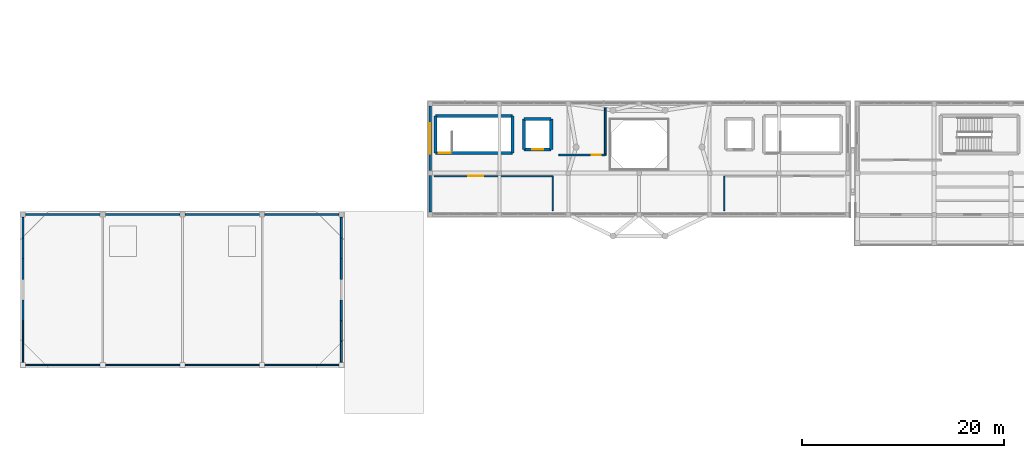
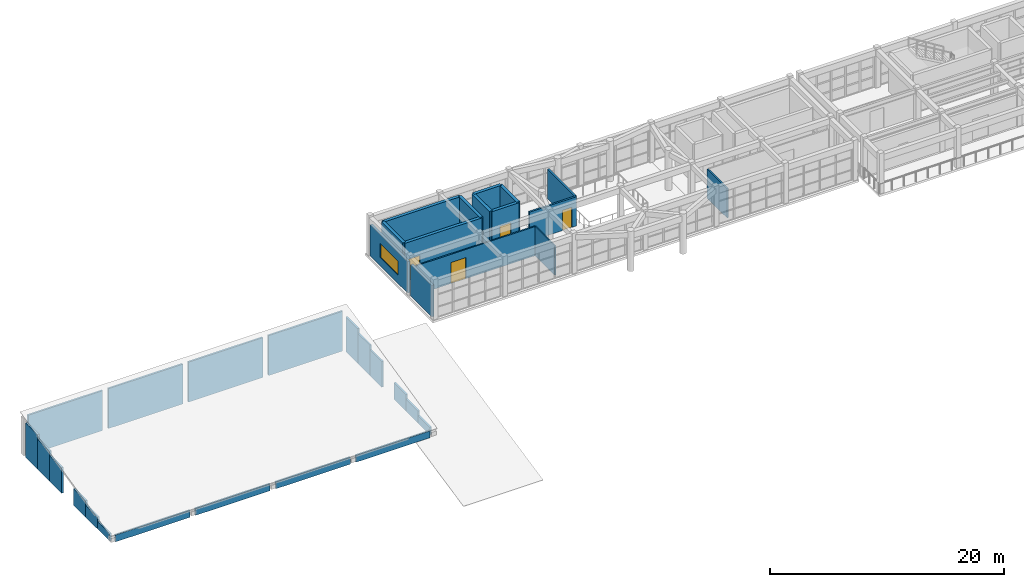
# One storey, part 53 of 66: 35 walls, 4 doors, 1 window, 5 openings.
"""IFC4 building model written with IfcOpenShell, lengths in metres."""

from ifc_helpers import new_model, si_unit, direction, frame, frame_2d, origin, place, context, subcontext, project, spatial, rectangle, extrude, material, layer, layer_set, type_object, element, fill, save


model = new_model("IFC4")

# Units and contexts
model_context = context("Model", 3, precision=1e-05, world=origin(), true_north=direction((0.0, 1.0)))
body_context = subcontext(model_context, "Body", "Model", "MODEL_VIEW")
ifc_project = project(units=[si_unit("LENGTHUNIT", "METRE"), si_unit("AREAUNIT", "SQUARE_METRE"), si_unit("VOLUMEUNIT", "CUBIC_METRE"), si_unit("PLANEANGLEUNIT", "RADIAN"), si_unit("MASSUNIT", "GRAM", prefix="KILO")], contexts=[model_context])

# Site, building, storey
site_placement = place(None, origin())
site = spatial("IfcSite", under=ifc_project, at=site_placement, CompositionType="ELEMENT")
building_placement = place(site_placement, origin())
building = spatial("IfcBuilding", under=site, at=building_placement, Name="Candilejo Ridge Gondola Terminal", CompositionType="ELEMENT")
storey_placement = place(building_placement, frame((0.0, 0.0, 14.39990234375)))
storey = spatial("IfcBuildingStorey", under=building, at=storey_placement, Name="L03", CompositionType="ELEMENT", Elevation=14.39990234375)

# Wall
ifc_material_1 = material(Name="Concrete C20/25 masonry blockwork (f'm 14 MPa)", Category="masonry")
ifc_layer_1 = layer(ifc_material_1, 0.219970703125)
ifc_layer_set_1 = layer_set([ifc_layer_1], Name="ARC-EXT-WALL-220")
wall_type_1 = type_object("IfcWallType", Name="ARC-EXT-WALL-220", PredefinedType="STANDARD", material=ifc_layer_set_1)
wall_1_placement = place(storey_placement, frame((44.64990234375, 25.949951171875, 0.0), z_axis=(0.0, 0.0, 1.0), x_axis=(0.0, 1.0, 0.0)))
element("IfcWall", 1, at=wall_1_placement, inside=storey, type_object=wall_type_1, Name="Exterior facade wall EW-V2-L03-047", PredefinedType="STANDARD", context=body_context, shape_type="SweptSolid", body=[
    extrude(rectangle(XDim=3.60009765625, YDim=0.219970703125, at=frame_2d((1.800048828125, 0.0))), origin(), (0.0, 0.0, 1.0), 3.280029296875),
])

# Wall, opening, window
wall_2_placement = place(storey_placement, frame((44.64990234375, 30.050048828125, 0.0), z_axis=(0.0, 0.0, 1.0), x_axis=(0.0, 1.0, 0.0)))
wall_2 = element("IfcWall", 2, at=wall_2_placement, inside=storey, type_object=wall_type_1, Name="Exterior facade wall EW-V2-L03-048", PredefinedType="STANDARD", context=body_context, shape_type="SweptSolid", body=[
    extrude(rectangle(XDim=6.39990234375, YDim=0.219970703125, at=frame_2d((3.199951171875, 0.0))), origin(), (0.0, 0.0, 1.0), 3.280029296875),
])
opening_1_placement = place(wall_2_placement, frame((1.699951171875, 0.0, 0.8798828125)))
opening_1 = element("IfcOpeningElement", 3, at=opening_1_placement, cuts=wall_2, Name="Opening WN-05", PredefinedType="OPENING", context=body_context, shape_type="SweptSolid", body=[
    extrude(rectangle(XDim=3.0, YDim=1.449951171875, at=frame_2d((1.5, 0.72509765625))), frame((0.0, 0.119873046875, 0.0), z_axis=(0.0, -1.0, 0.0), x_axis=(1.0, 0.0, 0.0)), (0.0, 0.0, 1.0), 0.239990234375),
])
ifc_material_2 = material(Name="Low-E laminated double glazing 6+12A+6+1.52PVB+6 mm", Category="glass")
window_type = type_object("IfcWindowType", Name="ARC-WIN-3000X1650", PartitioningType="SINGLE_PANEL", PredefinedType="WINDOW", material=ifc_material_2)
window_placement = place(opening_1_placement, origin())
window = element("IfcWindow", 4, at=window_placement, inside=storey, type_object=window_type, Name="Window WIN-021", OverallHeight=1.449951171875, OverallWidth=3.0, PartitioningType="SINGLE_PANEL", PredefinedType="WINDOW", context=body_context, shape_type="SweptSolid", body=[
    extrude(rectangle(XDim=3.0, YDim=1.449951171875, at=frame_2d((1.5, 0.72509765625))), frame((0.0, 0.030029296875, 0.0), z_axis=(0.0, -1.0, 0.0), x_axis=(1.0, 0.0, 0.0)), (0.0, 0.0, 1.0), 0.06005859375),
])
fill(opening_1, window)

# Walls
ifc_material_3 = material(Name="Concrete f'c 35 MPa (C35/45)", Category="concrete")
ifc_layer_2 = layer(ifc_material_3, 0.179931640625)
ifc_layer_set_2 = layer_set([ifc_layer_2], Name="ARC-PARAPET-WALL-180")
wall_type_2 = type_object("IfcWallType", Name="ARC-PARAPET-WALL-180", PredefinedType="PARAPET", material=ifc_layer_set_2)
wall_3_placement = place(storey_placement, frame((4.580078125, 10.800048828125, -0.199951171875), z_axis=(0.0, 0.0, 1.0), x_axis=(1.0, 0.0, 0.0)))
element("IfcWall", 5, at=wall_3_placement, inside=storey, type_object=wall_type_2, Name="Roof perimeter gable/spandrel wall L03-001", PredefinedType="PARAPET", context=body_context, shape_type="SweptSolid", body=[
    extrude(rectangle(XDim=7.33984375, YDim=0.179931640625, at=frame_2d((3.669921875, 0.0))), origin(), (0.0, 0.0, 1.0), 0.714599609375),
])
for number, where, z_axis, x_axis, name in (
    (6, (12.47998046875, 10.800048828125, -0.199951171875), (0.0, 0.0, 1.0), (1.0, 0.0, 0.0), "Roof perimeter gable/spandrel wall L03-002"),
    (7, (20.3798828125, 10.800048828125, -0.199951171875), (0.0, 0.0, 1.0), (1.0, 0.0, 0.0), "Roof perimeter gable/spandrel wall L03-003"),
):
    element("IfcWall", number, at=place(storey_placement, frame(where, z_axis=z_axis, x_axis=x_axis)), inside=storey, type_object=wall_type_2, Name=name, PredefinedType="PARAPET", context=body_context, shape_type="SweptSolid", body=[
        extrude(rectangle(XDim=7.340087890625, YDim=0.179931640625, at=frame_2d((3.669921875, 0.0))), origin(), (0.0, 0.0, 1.0), 0.714599609375),
    ])
wall_4_placement = place(storey_placement, frame((28.280029296875, 10.800048828125, -0.199951171875), z_axis=(0.0, 0.0, 1.0), x_axis=(1.0, 0.0, 0.0)))
element("IfcWall", 8, at=wall_4_placement, inside=storey, type_object=wall_type_2, Name="Roof perimeter gable/spandrel wall L03-004", PredefinedType="PARAPET", context=body_context, shape_type="SweptSolid", body=[
    extrude(rectangle(XDim=7.2900390625, YDim=0.179931640625, at=frame_2d((3.64501953125, 0.0))), origin(), (0.0, 0.0, 1.0), 0.714599609375),
])
wall_5_placement = place(storey_placement, frame((4.580078125, 25.699951171875, -0.199951171875), z_axis=(0.0, 0.0, 1.0), x_axis=(1.0, 0.0, 0.0)))
element("IfcWall", 9, at=wall_5_placement, inside=storey, type_object=wall_type_2, Name="Roof perimeter gable/spandrel wall L03-005", PredefinedType="PARAPET", context=body_context, shape_type="SweptSolid", body=[
    extrude(rectangle(XDim=7.33984375, YDim=0.179931640625, at=frame_2d((3.669921875, 0.0))), origin(), (0.0, 0.0, 1.0), 4.154541015625),
])
for number, where, z_axis, x_axis, name in (
    (10, (12.47998046875, 25.699951171875, -0.199951171875), (0.0, 0.0, 1.0), (1.0, 0.0, 0.0), "Roof perimeter gable/spandrel wall L03-006"),
    (11, (20.3798828125, 25.699951171875, -0.199951171875), (0.0, 0.0, 1.0), (1.0, 0.0, 0.0), "Roof perimeter gable/spandrel wall L03-007"),
):
    element("IfcWall", number, at=place(storey_placement, frame(where, z_axis=z_axis, x_axis=x_axis)), inside=storey, type_object=wall_type_2, Name=name, PredefinedType="PARAPET", context=body_context, shape_type="SweptSolid", body=[
        extrude(rectangle(XDim=7.340087890625, YDim=0.179931640625, at=frame_2d((3.669921875, 0.0))), origin(), (0.0, 0.0, 1.0), 4.154541015625),
    ])
wall_6_placement = place(storey_placement, frame((28.280029296875, 25.699951171875, -0.199951171875), z_axis=(0.0, 0.0, 1.0), x_axis=(1.0, 0.0, 0.0)))
element("IfcWall", 12, at=wall_6_placement, inside=storey, type_object=wall_type_2, Name="Roof perimeter gable/spandrel wall L03-008", PredefinedType="PARAPET", context=body_context, shape_type="SweptSolid", body=[
    extrude(rectangle(XDim=7.2900390625, YDim=0.179931640625, at=frame_2d((3.64501953125, 0.0))), origin(), (0.0, 0.0, 1.0), 4.154541015625),
])
wall_7_placement = place(storey_placement, frame((4.300048828125, 11.080078125, -0.199951171875), z_axis=(0.0, 0.0, 1.0), x_axis=(0.0, 1.0, 0.0)))
element("IfcWall", 13, at=wall_7_placement, inside=storey, type_object=wall_type_2, Name="Roof perimeter gable/spandrel wall L03-009", PredefinedType="PARAPET", context=body_context, shape_type="SweptSolid", body=[
    extrude(rectangle(XDim=2.048583984375, YDim=0.179931640625, at=frame_2d((1.0244140625, 0.0))), origin(), (0.0, 0.0, 1.0), 0.779296875),
])
wall_8_placement = place(storey_placement, frame((4.300048828125, 13.128662109375, -0.199951171875), z_axis=(0.0, 0.0, 1.0), x_axis=(0.0, 1.0, 0.0)))
element("IfcWall", 14, at=wall_8_placement, inside=storey, type_object=wall_type_2, Name="Roof perimeter gable/spandrel wall L03-010", PredefinedType="PARAPET", context=body_context, shape_type="SweptSolid", body=[
    extrude(rectangle(XDim=2.04833984375, YDim=0.179931640625, at=frame_2d((1.024169921875, 0.0))), origin(), (0.0, 0.0, 1.0), 1.252197265625),
])
wall_9_placement = place(storey_placement, frame((4.300048828125, 15.177001953125, -0.199951171875), z_axis=(0.0, 0.0, 1.0), x_axis=(0.0, 1.0, 0.0)))
element("IfcWall", 15, at=wall_9_placement, inside=storey, type_object=wall_type_2, Name="Roof perimeter gable/spandrel wall L03-011", PredefinedType="PARAPET", context=body_context, shape_type="SweptSolid", body=[
    extrude(rectangle(XDim=2.048583984375, YDim=0.179931640625, at=frame_2d((1.0244140625, 0.0))), origin(), (0.0, 0.0, 1.0), 1.72509765625),
])
wall_10_placement = place(storey_placement, frame((4.300048828125, 19.2744140625, -0.199951171875), z_axis=(0.0, 0.0, 1.0), x_axis=(0.0, 1.0, 0.0)))
element("IfcWall", 16, at=wall_10_placement, inside=storey, type_object=wall_type_2, Name="Roof perimeter gable/spandrel wall L03-012", PredefinedType="PARAPET", context=body_context, shape_type="SweptSolid", body=[
    extrude(rectangle(XDim=2.048583984375, YDim=0.179931640625, at=frame_2d((1.0244140625, 0.0))), origin(), (0.0, 0.0, 1.0), 2.671142578125),
])
wall_11_placement = place(storey_placement, frame((4.300048828125, 21.322998046875, -0.199951171875), z_axis=(0.0, 0.0, 1.0), x_axis=(0.0, 1.0, 0.0)))
element("IfcWall", 17, at=wall_11_placement, inside=storey, type_object=wall_type_2, Name="Roof perimeter gable/spandrel wall L03-013", PredefinedType="PARAPET", context=body_context, shape_type="SweptSolid", body=[
    extrude(rectangle(XDim=2.04833984375, YDim=0.179931640625, at=frame_2d((1.024169921875, 0.0))), origin(), (0.0, 0.0, 1.0), 3.14404296875),
])
wall_12_placement = place(storey_placement, frame((4.300048828125, 23.371337890625, -0.199951171875), z_axis=(0.0, 0.0, 1.0), x_axis=(0.0, 1.0, 0.0)))
element("IfcWall", 18, at=wall_12_placement, inside=storey, type_object=wall_type_2, Name="Roof perimeter gable/spandrel wall L03-014", PredefinedType="PARAPET", context=body_context, shape_type="SweptSolid", body=[
    extrude(rectangle(XDim=2.048583984375, YDim=0.179931640625, at=frame_2d((1.0244140625, 0.0))), origin(), (0.0, 0.0, 1.0), 3.616943359375),
])
wall_13_placement = place(storey_placement, frame((35.85009765625, 11.080078125, -0.199951171875), z_axis=(0.0, 0.0, 1.0), x_axis=(0.0, 1.0, 0.0)))
element("IfcWall", 19, at=wall_13_placement, inside=storey, type_object=wall_type_2, Name="Roof perimeter gable/spandrel wall L03-015", PredefinedType="PARAPET", context=body_context, shape_type="SweptSolid", body=[
    extrude(rectangle(XDim=2.048583984375, YDim=0.179931640625, at=frame_2d((1.0244140625, 0.0))), origin(), (0.0, 0.0, 1.0), 0.779296875),
])
wall_14_placement = place(storey_placement, frame((35.85009765625, 13.128662109375, -0.199951171875), z_axis=(0.0, 0.0, 1.0), x_axis=(0.0, 1.0, 0.0)))
element("IfcWall", 20, at=wall_14_placement, inside=storey, type_object=wall_type_2, Name="Roof perimeter gable/spandrel wall L03-016", PredefinedType="PARAPET", context=body_context, shape_type="SweptSolid", body=[
    extrude(rectangle(XDim=2.04833984375, YDim=0.179931640625, at=frame_2d((1.024169921875, 0.0))), origin(), (0.0, 0.0, 1.0), 1.252197265625),
])
wall_15_placement = place(storey_placement, frame((35.85009765625, 15.177001953125, -0.199951171875), z_axis=(0.0, 0.0, 1.0), x_axis=(0.0, 1.0, 0.0)))
element("IfcWall", 21, at=wall_15_placement, inside=storey, type_object=wall_type_2, Name="Roof perimeter gable/spandrel wall L03-017", PredefinedType="PARAPET", context=body_context, shape_type="SweptSolid", body=[
    extrude(rectangle(XDim=2.048583984375, YDim=0.179931640625, at=frame_2d((1.0244140625, 0.0))), origin(), (0.0, 0.0, 1.0), 1.72509765625),
])
wall_16_placement = place(storey_placement, frame((35.85009765625, 19.2744140625, -0.199951171875), z_axis=(0.0, 0.0, 1.0), x_axis=(0.0, 1.0, 0.0)))
element("IfcWall", 22, at=wall_16_placement, inside=storey, type_object=wall_type_2, Name="Roof perimeter gable/spandrel wall L03-018", PredefinedType="PARAPET", context=body_context, shape_type="SweptSolid", body=[
    extrude(rectangle(XDim=2.048583984375, YDim=0.179931640625, at=frame_2d((1.0244140625, 0.0))), origin(), (0.0, 0.0, 1.0), 2.671142578125),
])
wall_17_placement = place(storey_placement, frame((35.85009765625, 21.322998046875, -0.199951171875), z_axis=(0.0, 0.0, 1.0), x_axis=(0.0, 1.0, 0.0)))
element("IfcWall", 23, at=wall_17_placement, inside=storey, type_object=wall_type_2, Name="Roof perimeter gable/spandrel wall L03-019", PredefinedType="PARAPET", context=body_context, shape_type="SweptSolid", body=[
    extrude(rectangle(XDim=2.04833984375, YDim=0.179931640625, at=frame_2d((1.024169921875, 0.0))), origin(), (0.0, 0.0, 1.0), 3.14404296875),
])
wall_18_placement = place(storey_placement, frame((35.85009765625, 23.371337890625, -0.199951171875), z_axis=(0.0, 0.0, 1.0), x_axis=(0.0, 1.0, 0.0)))
element("IfcWall", 24, at=wall_18_placement, inside=storey, type_object=wall_type_2, Name="Roof perimeter gable/spandrel wall L03-020", PredefinedType="PARAPET", context=body_context, shape_type="SweptSolid", body=[
    extrude(rectangle(XDim=2.048583984375, YDim=0.179931640625, at=frame_2d((1.0244140625, 0.0))), origin(), (0.0, 0.0, 1.0), 3.616943359375),
])

# Wall, opening, door
ifc_material_4 = material(Name="Gypsum board Type X acoustic partition (2x15.9 mm)", Category="gypsum")
ifc_layer_3 = layer(ifc_material_4, 0.135009765625)
ifc_layer_set_3 = layer_set([ifc_layer_3], Name="ARC-PART-GYP135")
wall_type_3 = type_object("IfcWallType", Name="ARC-PART-GYP135", PredefinedType="PARTITIONING", material=ifc_layer_set_3)
wall_19_placement = place(storey_placement, frame((45.050048828125, 29.5, 0.0), z_axis=(0.0, 0.0, 1.0), x_axis=(1.0, 0.0, 0.0)))
wall_19 = element("IfcWall", 25, at=wall_19_placement, inside=storey, type_object=wall_type_3, Name="Interior partition PT-V2-L03-0100", PredefinedType="PARTITIONING", context=body_context, shape_type="SweptSolid", body=[
    extrude(rectangle(XDim=11.75, YDim=0.135009765625, at=frame_2d((5.875, 0.0))), origin(), (0.0, 0.0, 1.0), 3.050048828125),
])
opening_2_placement = place(wall_19_placement, frame((3.375, 0.0, 0.0)))
opening_2 = element("IfcOpeningElement", 26, at=opening_2_placement, cuts=wall_19, Name="Opening ID-03B", PredefinedType="OPENING", context=body_context, shape_type="SweptSolid", body=[
    extrude(rectangle(XDim=1.5, YDim=2.199951171875, at=frame_2d((0.75, 1.10009765625))), frame((0.0, 0.077392578125, 0.0), z_axis=(0.0, -1.0, 0.0), x_axis=(1.0, 0.0, 0.0)), (0.0, 0.0, 1.0), 0.155029296875),
])
ifc_material_5 = material(Name="Solid-core fire-rated hardwood door leaf", Category="wood")
door_type_1 = type_object("IfcDoorType", Name="ARC-DOOR-DBL-1500", OperationType="NOTDEFINED", PredefinedType="DOOR", material=ifc_material_5)
door_1_placement = place(opening_2_placement, origin())
door_1 = element("IfcDoor", 27, at=door_1_placement, inside=storey, type_object=door_type_1, Name="Interior door IDR-0056 (301)", OperationType="DOUBLE_DOOR_SINGLE_SWING", OverallHeight=2.199951171875, OverallWidth=1.5, PredefinedType="DOOR", context=body_context, shape_type="SweptSolid", body=[
    extrude(rectangle(XDim=1.5, YDim=2.199951171875, at=frame_2d((0.75, 1.10009765625))), frame((0.0, 0.02490234375, 0.0), z_axis=(0.0, -1.0, 0.0), x_axis=(1.0, 0.0, 0.0)), (0.0, 0.0, 1.0), 0.050048828125),
])
fill(opening_2, door_1)

# Walls
for number, where, z_axis, x_axis, name in (
    (28, (56.800048828125, 26.10009765625, 0.0), (0.0, 0.0, 1.0), (0.0, 1.0, 0.0), "Interior partition PT-V2-L03-0101"),
    (29, (73.800048828125, 26.10009765625, 0.0), (0.0, 0.0, 1.0), (0.0, 1.0, 0.0), "Interior partition PT-V2-L03-0103"),
):
    element("IfcWall", number, at=place(storey_placement, frame(where, z_axis=z_axis, x_axis=x_axis)), inside=storey, type_object=wall_type_3, Name=name, PredefinedType="PARTITIONING", context=body_context, shape_type="SweptSolid", body=[
        extrude(rectangle(XDim=3.39990234375, YDim=0.135009765625, at=frame_2d((1.699951171875, 0.0))), origin(), (0.0, 0.0, 1.0), 3.050048828125),
    ])

# Wall, opening, door
ifc_material_6 = material(Name="Concrete C20/25 masonry blockwork (f'm 14 MPa)", Category="masonry")
ifc_layer_4 = layer(ifc_material_6, 0.179931640625)
ifc_layer_set_4 = layer_set([ifc_layer_4], Name="ARC-WALL-PLUMBING-180")
wall_type_4 = type_object("IfcWallType", Name="ARC-WALL-PLUMBING-180", PredefinedType="PLUMBINGWALL", material=ifc_layer_set_4)
wall_20_placement = place(storey_placement, frame((57.39990234375, 31.60009765625, 0.0), z_axis=(0.0, 0.0, 1.0), x_axis=(1.0, 0.0, 0.0)))
wall_20 = element("IfcWall", 30, at=wall_20_placement, inside=storey, type_object=wall_type_4, Name="Interior partition PT-V2-L03-0104", PredefinedType="PLUMBINGWALL", context=body_context, shape_type="SweptSolid", body=[
    extrude(rectangle(XDim=4.60009765625, YDim=0.179931640625, at=frame_2d((2.300048828125, 0.0))), origin(), (0.0, 0.0, 1.0), 3.050048828125),
])
opening_3_placement = place(wall_20_placement, frame((3.239990234375, 0.0, 0.0)))
opening_3 = element("IfcOpeningElement", 31, at=opening_3_placement, cuts=wall_20, Name="Opening ID-04A", PredefinedType="OPENING", context=body_context, shape_type="SweptSolid", body=[
    extrude(rectangle(XDim=0.919921875, YDim=2.10009765625, at=frame_2d((0.4599609375, 1.050048828125))), frame((0.0, 0.099853515625, 0.0), z_axis=(0.0, -1.0, 0.0), x_axis=(1.0, 0.0, 0.0)), (0.0, 0.0, 1.0), 0.199951171875),
])
ifc_material_7 = material(Name="Solid-core fire-rated hardwood door leaf", Category="wood")
door_type_2 = type_object("IfcDoorType", Name="ARC-DOOR-WC-0920", OperationType="NOTDEFINED", PredefinedType="DOOR", material=ifc_material_7)
door_2_placement = place(opening_3_placement, origin())
door_2 = element("IfcDoor", 32, at=door_2_placement, inside=storey, type_object=door_type_2, Name="Interior door IDR-0058 (304)", OperationType="SINGLE_SWING_RIGHT", OverallHeight=2.10009765625, OverallWidth=0.919921875, PredefinedType="DOOR", context=body_context, shape_type="SweptSolid", body=[
    extrude(rectangle(XDim=0.919921875, YDim=2.10009765625, at=frame_2d((0.4599609375, 1.050048828125))), frame((0.0, 0.02490234375, 0.0), z_axis=(0.0, -1.0, 0.0), x_axis=(1.0, 0.0, 0.0)), (0.0, 0.0, 1.0), 0.050048828125),
])
fill(opening_3, door_2)

# Wall
wall_21_placement = place(storey_placement, frame((62.0, 31.60009765625, 0.0), z_axis=(0.0, 0.0, 1.0), x_axis=(0.0, 1.0, 0.0)))
element("IfcWall", 33, at=wall_21_placement, inside=storey, type_object=wall_type_4, Name="Interior partition PT-V2-L03-0105", PredefinedType="PLUMBINGWALL", context=body_context, shape_type="SweptSolid", body=[
    extrude(rectangle(XDim=4.699951171875, YDim=0.179931640625, at=frame_2d((2.35009765625, 0.0))), origin(), (0.0, 0.0, 1.0), 3.050048828125),
])

# Wall, opening, door
ifc_material_8 = material(Name="Concrete f'c 35 MPa (C35/45)", Category="concrete")
ifc_layer_5 = layer(ifc_material_8, 0.300048828125)
ifc_layer_set_5 = layer_set([ifc_layer_5], Name="STR-CORE-WALL-300")
wall_type_5 = type_object("IfcWallType", Name="STR-CORE-WALL-300", PredefinedType="SHEAR", material=ifc_layer_set_5)
wall_22_placement = place(storey_placement, frame((45.199951171875, 31.800048828125, 0.0), z_axis=(0.0, 0.0, 1.0), x_axis=(1.0, 0.0, 0.0)))
wall_22 = element("IfcWall", 34, at=wall_22_placement, inside=storey, type_object=wall_type_5, Name="Core stair shear wall SW-C-V2A-L03-ST-S", PredefinedType="SHEAR", context=body_context, shape_type="SweptSolid", body=[
    extrude(rectangle(XDim=7.60009765625, YDim=0.300048828125, at=frame_2d((3.800048828125, 0.0))), origin(), (0.0, 0.0, 1.0), 3.989990234375),
])
opening_4_placement = place(wall_22_placement, frame((0.280029296875, 0.0, 0.0)))
opening_4 = element("IfcOpeningElement", 35, at=opening_4_placement, cuts=wall_22, Name="Opening FD-01", PredefinedType="OPENING", context=body_context, shape_type="SweptSolid", body=[
    extrude(rectangle(XDim=1.199951171875, YDim=2.199951171875, at=frame_2d((0.60009765625, 1.10009765625))), frame((0.0, 0.159912109375, 0.0), z_axis=(0.0, -1.0, 0.0), x_axis=(1.0, 0.0, 0.0)), (0.0, 0.0, 1.0), 0.320068359375),
])
ifc_material_9 = material(Name="Steel ASTM A653 Grade 33 hollow-metal door", Category="steel")
door_type_3 = type_object("IfcDoorType", Name="ARC-DOOR-FD90-1200", OperationType="NOTDEFINED", PredefinedType="DOOR", material=ifc_material_9)
door_3_placement = place(opening_4_placement, origin())
door_3 = element("IfcDoor", 36, at=door_3_placement, inside=storey, type_object=door_type_3, Name="Fire stair door SDR-010", OperationType="SINGLE_SWING_RIGHT", OverallHeight=2.199951171875, OverallWidth=1.199951171875, PredefinedType="DOOR", context=body_context, shape_type="SweptSolid", body=[
    extrude(rectangle(XDim=1.199951171875, YDim=2.199951171875, at=frame_2d((0.60009765625, 1.10009765625))), frame((0.0, 0.02490234375, 0.0), z_axis=(0.0, -1.0, 0.0), x_axis=(1.0, 0.0, 0.0)), (0.0, 0.0, 1.0), 0.050048828125),
])
fill(opening_4, door_3)

# Walls
wall_23_placement = place(storey_placement, frame((52.800048828125, 35.449951171875, 0.0), z_axis=(0.0, 0.0, 1.0), x_axis=(-1.0, 0.0, 0.0)))
element("IfcWall", 37, at=wall_23_placement, inside=storey, type_object=wall_type_5, Name="Core stair shear wall SW-C-V2A-L03-ST-N", PredefinedType="SHEAR", context=body_context, shape_type="SweptSolid", body=[
    extrude(rectangle(XDim=7.60009765625, YDim=0.300048828125, at=frame_2d((3.800048828125, 0.0))), origin(), (0.0, 0.0, 1.0), 3.989990234375),
])
for number, where, z_axis, x_axis, name in (
    (38, (45.199951171875, 35.449951171875, 0.0), (0.0, 0.0, 1.0), (0.0, -1.0, 0.0), "Core stair shear wall SW-C-V2A-L03-ST-W"),
    (39, (52.800048828125, 31.800048828125, 0.0), (0.0, 0.0, 1.0), (0.0, 1.0, 0.0), "Core stair shear wall SW-C-V2A-L03-ST-E"),
):
    element("IfcWall", number, at=place(storey_placement, frame(where, z_axis=z_axis, x_axis=x_axis)), inside=storey, type_object=wall_type_5, Name=name, PredefinedType="SHEAR", context=body_context, shape_type="SweptSolid", body=[
        extrude(rectangle(XDim=3.64990234375, YDim=0.300048828125, at=frame_2d((1.824951171875, 0.0))), origin(), (0.0, 0.0, 1.0), 3.989990234375),
    ])

# Wall, opening, door
wall_24_placement = place(storey_placement, frame((53.949951171875, 32.14990234375, 0.0), z_axis=(0.0, 0.0, 1.0), x_axis=(1.0, 0.0, 0.0)))
wall_24 = element("IfcWall", 40, at=wall_24_placement, inside=storey, type_object=wall_type_5, Name="Lift shaft shear wall SW-C-V2A-L03-LF-S", PredefinedType="SHEAR", context=body_context, shape_type="SweptSolid", body=[
    extrude(rectangle(XDim=2.699951171875, YDim=0.300048828125, at=frame_2d((1.35009765625, 0.0))), origin(), (0.0, 0.0, 1.0), 4.005126953125),
])
opening_5_placement = place(wall_24_placement, frame((0.800048828125, 0.0, 0.0)))
opening_5 = element("IfcOpeningElement", 41, at=opening_5_placement, cuts=wall_24, Name="Opening LD-01", PredefinedType="OPENING", context=body_context, shape_type="SweptSolid", body=[
    extrude(rectangle(XDim=1.10009765625, YDim=2.199951171875, at=frame_2d((0.550048828125, 1.10009765625))), frame((0.0, 0.159912109375, 0.0), z_axis=(0.0, -1.0, 0.0), x_axis=(1.0, 0.0, 0.0)), (0.0, 0.0, 1.0), 0.320068359375),
])
ifc_material_10 = material(Name="Brushed stainless steel AISI 316", Category="steel")
door_type_4 = type_object("IfcDoorType", Name="ARC-LIFT-DOOR-1100", OperationType="NOTDEFINED", PredefinedType="DOOR", material=ifc_material_10)
door_4_placement = place(opening_5_placement, origin())
door_4 = element("IfcDoor", 42, at=door_4_placement, inside=storey, type_object=door_type_4, Name="Elevator landing door LDR-010", OperationType="SLIDING_TO_LEFT", OverallHeight=2.199951171875, OverallWidth=1.10009765625, PredefinedType="DOOR", context=body_context, shape_type="SweptSolid", body=[
    extrude(rectangle(XDim=1.10009765625, YDim=2.199951171875, at=frame_2d((0.550048828125, 1.10009765625))), frame((0.0, 0.02490234375, 0.0), z_axis=(0.0, -1.0, 0.0), x_axis=(1.0, 0.0, 0.0)), (0.0, 0.0, 1.0), 0.050048828125),
])
fill(opening_5, door_4)

# Walls
wall_25_placement = place(storey_placement, frame((53.949951171875, 35.14990234375, 0.0), z_axis=(0.0, 0.0, 1.0), x_axis=(1.0, 0.0, 0.0)))
element("IfcWall", 43, at=wall_25_placement, inside=storey, type_object=wall_type_5, Name="Lift shaft shear wall SW-C-V2A-L03-LF-N", PredefinedType="SHEAR", context=body_context, shape_type="SweptSolid", body=[
    extrude(rectangle(XDim=2.699951171875, YDim=0.300048828125, at=frame_2d((1.35009765625, 0.0))), origin(), (0.0, 0.0, 1.0), 4.005126953125),
])
for number, where, z_axis, x_axis, name in (
    (44, (53.949951171875, 32.14990234375, 0.0), (0.0, 0.0, 1.0), (0.0, 1.0, 0.0), "Lift shaft shear wall SW-C-V2A-L03-LF-W"),
    (45, (56.64990234375, 32.14990234375, 0.0), (0.0, 0.0, 1.0), (0.0, 1.0, 0.0), "Lift shaft shear wall SW-C-V2A-L03-LF-E"),
):
    element("IfcWall", number, at=place(storey_placement, frame(where, z_axis=z_axis, x_axis=x_axis)), inside=storey, type_object=wall_type_5, Name=name, PredefinedType="SHEAR", context=body_context, shape_type="SweptSolid", body=[
        extrude(rectangle(XDim=3.0, YDim=0.300048828125, at=frame_2d((1.5, 0.0))), origin(), (0.0, 0.0, 1.0), 4.005126953125),
    ])

save(model, "model.ifc")
